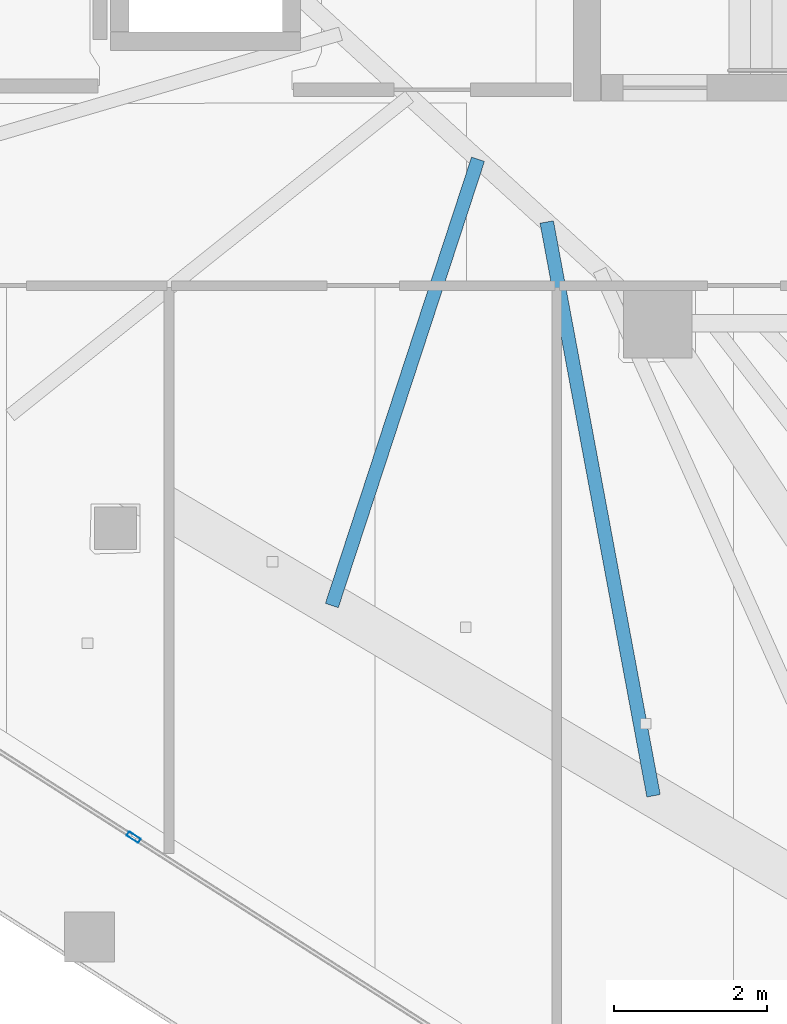
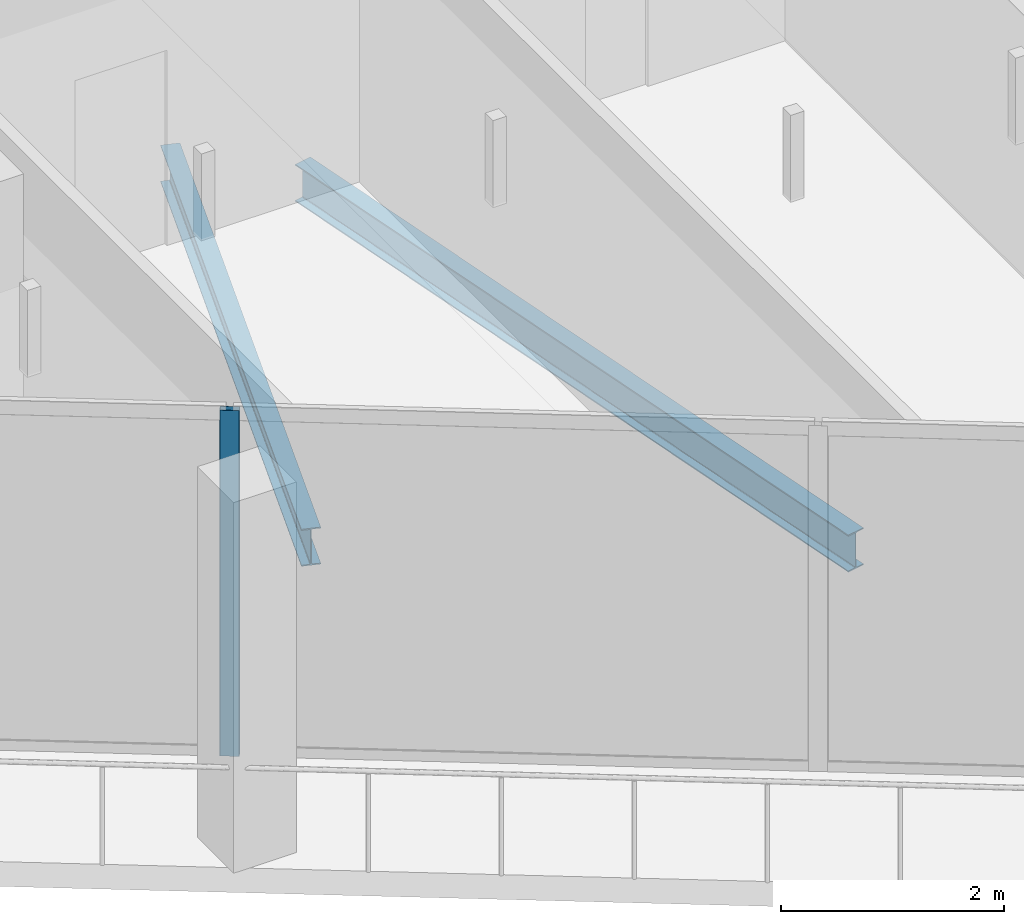
# One storey, part 5 of 33: 2 beams, 1 member, 1 element without a shape of its own.
"""IFC4 building model written with IfcOpenShell, lengths in metres."""

from ifc_helpers import new_model, si_unit, direction, frame, origin, origin_2d, place, context, subcontext, project, spatial, hollow_rectangle, i_section, extrude, material, layer, layer_set, material_profile, profile_set, type_object, element, aggregate, save


model = new_model("IFC4")

# Units and contexts
model_context = context("Model", 3, precision=1e-05, world=origin(), true_north=direction((0.0, 1.0)))
body_context = subcontext(model_context, "Body", "Model", "MODEL_VIEW")
ifc_project = project(units=[si_unit("LENGTHUNIT", "METRE"), si_unit("AREAUNIT", "SQUARE_METRE"), si_unit("VOLUMEUNIT", "CUBIC_METRE"), si_unit("PLANEANGLEUNIT", "RADIAN"), si_unit("MASSUNIT", "GRAM", prefix="KILO")], contexts=[model_context])

# Site, building, storey
site_placement = place(None, origin())
site = spatial("IfcSite", under=ifc_project, at=site_placement, CompositionType="ELEMENT")
building_placement = place(site_placement, origin())
building = spatial("IfcBuilding", under=site, at=building_placement, Name="Qorvath Tower", CompositionType="ELEMENT")
storey_placement = place(building_placement, frame((0.0, 0.0, 209.10009765625)))
storey = spatial("IfcBuildingStorey", under=building, at=storey_placement, Name="L48", CompositionType="ELEMENT", Elevation=209.10009765625)

# Beams
ifc_material_1 = material(Name="Steel ASTM A992 Grade 50", Category="steel")
ifc_material_profile_1 = material_profile(ifc_material_1, i_section(OverallWidth=0.177978515625, OverallDepth=0.406005859375, WebThickness=0.0078125, FlangeThickness=0.0126953125, FilletRadius=0.010986328125, at=origin_2d()), Name="W16x40")
ifc_profile_set_1 = profile_set([ifc_material_profile_1], Name="Steel ASTM A992 Grade 50")
beam_type = type_object("IfcBeamType", Name="BM-FJ3", PredefinedType="JOIST", material=ifc_profile_set_1)
beam_1_placement = place(storey_placement, frame((-25.946044921875, -9.30810546875, -0.472900390625), z_axis=(-0.311228747452, -0.950335028692, 0.0), x_axis=(0.950335028692, -0.311228747452, 0.0)))
element("IfcBeam", 1, at=beam_1_placement, inside=storey, type_object=beam_type, Name="Composite Floor Joist SW5 L48", PredefinedType="JOIST", context=body_context, shape_type="SweptSolid", body=[
    extrude(i_section(OverallWidth=0.177978515625, OverallDepth=0.406005859375, WebThickness=0.0078125, FlangeThickness=0.0126953125, FilletRadius=0.010986328125, at=origin_2d()), origin(), (0.0, 0.0, 1.0), 6.129638671875),
])
beam_2_placement = place(storey_placement, frame((-25.049072265625, -10.126953125, -0.472900390625), z_axis=(0.183026775988, -0.983107928598, 0.0), x_axis=(0.983107928598, 0.183026775988, 0.0)))
element("IfcBeam", 2, at=beam_2_placement, inside=storey, type_object=beam_type, Name="Composite Floor Joist SW6 L48", PredefinedType="JOIST", context=body_context, shape_type="SweptSolid", body=[
    extrude(i_section(OverallWidth=0.177978515625, OverallDepth=0.406005859375, WebThickness=0.0078125, FlangeThickness=0.0126953125, FilletRadius=0.010986328125, at=origin_2d()), origin(), (0.0, 0.0, 1.0), 7.617919921875),
])

# Curtain wall, member
ifc_material_2 = material(Name="Anodised aluminium and triple low-E glass", Category="aluminium")
ifc_layer = layer(ifc_material_2, 0.179931640625)
ifc_layer_set = layer_set([ifc_layer], Name="CW-SYS-3")
curtain_wall_type = type_object("IfcCurtainWallType", Name="CW-SYS-3", PredefinedType="NOTDEFINED", material=ifc_layer_set)
curtain_wall_placement = place(storey_placement, origin())
curtain_wall = element("IfcCurtainWall", 3, at=curtain_wall_placement, inside=storey, type_object=curtain_wall_type, Name="Curtain Wall CW-3 CW-T-L48-2.2", PredefinedType="NOTDEFINED")
ifc_material_3 = material(Name="Anodised aluminium 6063-T6", Category="aluminium")
ifc_material_profile_2 = material_profile(ifc_material_3, hollow_rectangle(XDim=0.06494140625, YDim=0.179931640625, WallThickness=0.00341796875, InnerFilletRadius=0.00341796875, OuterFilletRadius=0.007080078125, at=origin_2d()), Name="CWM 180x65")
ifc_profile_set_2 = profile_set([ifc_material_profile_2], Name="Anodised aluminium 6063-T6")
member_type = type_object("IfcMemberType", Name="CWM-180", PredefinedType="MULLION", material=ifc_profile_set_2)
member_placement = place(storey_placement, frame((-30.44091796875, -18.15771484375, 0.0), z_axis=(0.0, 0.0, 1.0), x_axis=(0.538532547612, 0.842604708723, 0.0)))
member = element("IfcMember", 4, at=member_placement, type_object=member_type, Name="CW-3 mullion 5", PredefinedType="MULLION", context=body_context, shape_type="SweptSolid", body=[
    extrude(hollow_rectangle(XDim=0.06494140625, YDim=0.179931640625, WallThickness=0.00341796875, InnerFilletRadius=0.00341796875, OuterFilletRadius=0.007080078125, at=origin_2d()), origin(), (0.0, 0.0, 1.0), 3.77978515625),
])
aggregate(curtain_wall, [member])

save(model, "model.ifc")
